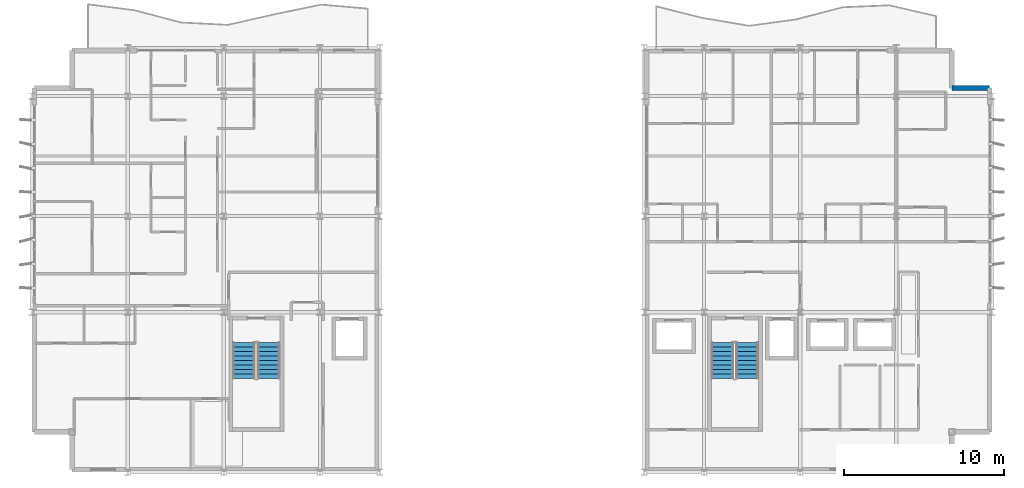
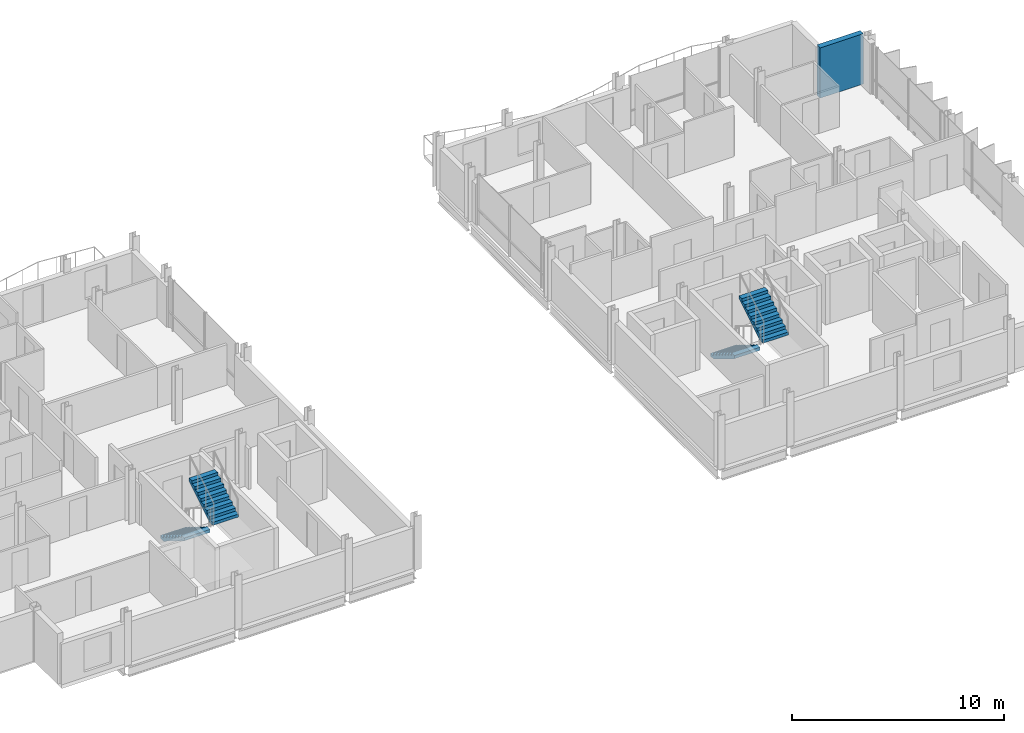
# One storey, part 26 of 30: 4 stair flights, 1 wall, 2 elements without a shape of their own.
"""IFC4 building model written with IfcOpenShell, lengths in metres."""

from ifc_helpers import new_model, si_unit, direction, frame, frame_2d, origin, place, context, subcontext, project, spatial, polyline, rectangle, outline, extrude, material, layer, layer_set, type_object, element, aggregate, save


model = new_model("IFC4")

# Units and contexts
model_context = context("Model", 3, precision=1e-05, world=origin(), true_north=direction((0.0, 1.0)))
body_context = subcontext(model_context, "Body", "Model", "MODEL_VIEW")
ifc_project = project(units=[si_unit("LENGTHUNIT", "METRE"), si_unit("AREAUNIT", "SQUARE_METRE"), si_unit("VOLUMEUNIT", "CUBIC_METRE"), si_unit("PLANEANGLEUNIT", "RADIAN"), si_unit("MASSUNIT", "GRAM", prefix="KILO")], contexts=[model_context])

# Site, building, storey
site_placement = place(None, origin())
site = spatial("IfcSite", under=ifc_project, at=site_placement, CompositionType="ELEMENT")
building_placement = place(site_placement, origin())
building = spatial("IfcBuilding", under=site, at=building_placement, Name="Brevholm Reach", CompositionType="ELEMENT")
storey_placement = place(building_placement, frame((0.0, 0.0, 204.89990234375)))
storey = spatial("IfcBuildingStorey", under=building, at=storey_placement, Name="L62", CompositionType="ELEMENT", Elevation=204.89990234375)

# Wall
ifc_material_1 = material(Name="Concrete C40/50", Category="concrete")
ifc_layer_1 = layer(ifc_material_1, 0.300048828125)
ifc_layer_set_1 = layer_set([ifc_layer_1], Name="Concrete C40/50")
wall_type = type_object("IfcWallType", Name="WAL-EXT-300", PredefinedType="STANDARD", material=ifc_layer_set_1)
wall_placement = place(storey_placement, frame((59.85009765625, 24.0, 0.0), z_axis=(0.0, 0.0, 1.0), x_axis=(-1.0, 0.0, 0.0)))
element("IfcWall", 1, at=wall_placement, inside=storey, type_object=wall_type, Name="L62 Facade Wall WAL-L62-EW-CNE1", PredefinedType="STANDARD", context=body_context, shape_type="SweptSolid", body=[
    extrude(rectangle(XDim=2.35009765625, YDim=0.300048828125, at=frame_2d((1.175048828125, 0.0))), origin(), (0.0, 0.0, 1.0), 2.89013671875),
])

# Stair, stair flights
ifc_material_2 = material(Name="Precast Concrete C40/50", Category="concrete")
stair_type = type_object("IfcStairType", Name="STR-ESC-1400", PredefinedType="DOUBLE_RETURN_STAIR", material=ifc_material_2)
stair_1_placement = place(storey_placement, origin())
stair_1 = element("IfcStair", 2, at=stair_1_placement, inside=storey, type_object=stair_type, Name="L62 ST-1", PredefinedType="DOUBLE_RETURN_STAIR")
ifc_material_3 = material(Name="Precast Concrete C40/50", Category="concrete")
ifc_layer_2 = layer(ifc_material_3, 0.18505859375)
ifc_layer_set_2 = layer_set([ifc_layer_2], Name="Precast Concrete C40/50")
stair_flight_type = type_object("IfcStairFlightType", Name="STF-PRC-185", PredefinedType="STRAIGHT", material=ifc_layer_set_2)
stair_flight_1_placement = place(storey_placement, frame((13.25, 8.10009765625, 0.0), z_axis=(0.0, 0.0, 1.0), x_axis=(0.0, -1.0, 0.0)))
stair_flight_1 = element("IfcStairFlight", 3, at=stair_flight_1_placement, type_object=stair_flight_type, Name="ST-1 flight 1", NumberOfRisers=9, NumberOfTreads=8, PredefinedType="STRAIGHT", RiserHeight=0.172222222, TreadLength=0.28, context=body_context, shape_type="SweptSolid", body=[
    extrude(outline(polyline([(0.0, 0.0), (0.0, 0.172119140625), (0.280029296875, 0.172119140625), (0.280029296875, 0.344482421875), (0.56005859375, 0.344482421875), (0.56005859375, 0.5166015625), (0.840087890625, 0.5166015625), (0.840087890625, 0.68896484375), (1.1201171875, 0.68896484375), (1.1201171875, 0.861083984375), (1.39990234375, 0.861083984375), (1.39990234375, 1.033447265625), (1.679931640625, 1.033447265625), (1.679931640625, 1.20556640625), (1.9599609375, 1.20556640625), (1.9599609375, 1.377685546875), (2.239990234375, 1.377685546875), (2.239990234375, 1.550048828125), (2.239990234375, 1.201904296875), (0.2861328125, 0.0), (0.0, 0.0)])), frame((0.0, 0.699951171875, 0.0), z_axis=(0.0, -1.0, 0.0), x_axis=(1.0, 0.0, 0.0)), (0.0, 0.0, 1.0), 1.39990234375),
])
stair_flight_2_placement = place(storey_placement, frame((14.800048828125, 5.860107421875, 1.550048828125), z_axis=(0.0, 0.0, 1.0), x_axis=(0.0, 1.0, 0.0)))
stair_flight_2 = element("IfcStairFlight", 4, at=stair_flight_2_placement, type_object=stair_flight_type, Name="ST-1 flight 2", NumberOfRisers=9, NumberOfTreads=8, PredefinedType="STRAIGHT", RiserHeight=0.172222222, TreadLength=0.28, context=body_context, shape_type="SweptSolid", body=[
    extrude(outline(polyline([(0.0, 0.0), (0.0, 0.172119140625), (0.280029296875, 0.172119140625), (0.280029296875, 0.344482421875), (0.56005859375, 0.344482421875), (0.56005859375, 0.5166015625), (0.840087890625, 0.5166015625), (0.840087890625, 0.68896484375), (1.1201171875, 0.68896484375), (1.1201171875, 0.861083984375), (1.39990234375, 0.861083984375), (1.39990234375, 1.033447265625), (1.679931640625, 1.033447265625), (1.679931640625, 1.20556640625), (1.9599609375, 1.20556640625), (1.9599609375, 1.377685546875), (2.239990234375, 1.377685546875), (2.239990234375, 1.550048828125), (2.239990234375, 1.201904296875), (0.2861328125, 0.0), (0.0, 0.0)])), frame((0.0, 0.699951171875, 0.0), z_axis=(0.0, -1.0, 0.0), x_axis=(1.0, 0.0, 0.0)), (0.0, 0.0, 1.0), 1.39990234375),
])
aggregate(stair_1, [stair_flight_1, stair_flight_2])

stair_2_placement = place(storey_placement, origin())
stair_2 = element("IfcStair", 5, at=stair_2_placement, inside=storey, type_object=stair_type, Name="L62 ST-2", PredefinedType="DOUBLE_RETURN_STAIR")
stair_flight_3_placement = place(storey_placement, frame((43.14990234375, 8.10009765625, 0.0), z_axis=(0.0, 0.0, 1.0), x_axis=(0.0, -1.0, 0.0)))
stair_flight_3 = element("IfcStairFlight", 6, at=stair_flight_3_placement, type_object=stair_flight_type, Name="ST-2 flight 1", NumberOfRisers=9, NumberOfTreads=8, PredefinedType="STRAIGHT", RiserHeight=0.172222222, TreadLength=0.28, context=body_context, shape_type="SweptSolid", body=[
    extrude(outline(polyline([(0.0, 0.0), (0.0, 0.172119140625), (0.280029296875, 0.172119140625), (0.280029296875, 0.344482421875), (0.56005859375, 0.344482421875), (0.56005859375, 0.5166015625), (0.840087890625, 0.5166015625), (0.840087890625, 0.68896484375), (1.1201171875, 0.68896484375), (1.1201171875, 0.861083984375), (1.39990234375, 0.861083984375), (1.39990234375, 1.033447265625), (1.679931640625, 1.033447265625), (1.679931640625, 1.20556640625), (1.9599609375, 1.20556640625), (1.9599609375, 1.377685546875), (2.239990234375, 1.377685546875), (2.239990234375, 1.550048828125), (2.239990234375, 1.201904296875), (0.2861328125, 0.0), (0.0, 0.0)])), frame((0.0, 0.699951171875, 0.0), z_axis=(0.0, -1.0, 0.0), x_axis=(1.0, 0.0, 0.0)), (0.0, 0.0, 1.0), 1.39990234375),
])
stair_flight_4_placement = place(storey_placement, frame((44.699951171875, 5.860107421875, 1.550048828125), z_axis=(0.0, 0.0, 1.0), x_axis=(0.0, 1.0, 0.0)))
stair_flight_4 = element("IfcStairFlight", 7, at=stair_flight_4_placement, type_object=stair_flight_type, Name="ST-2 flight 2", NumberOfRisers=9, NumberOfTreads=8, PredefinedType="STRAIGHT", RiserHeight=0.172222222, TreadLength=0.28, context=body_context, shape_type="SweptSolid", body=[
    extrude(outline(polyline([(0.0, 0.0), (0.0, 0.172119140625), (0.280029296875, 0.172119140625), (0.280029296875, 0.344482421875), (0.56005859375, 0.344482421875), (0.56005859375, 0.5166015625), (0.840087890625, 0.5166015625), (0.840087890625, 0.68896484375), (1.1201171875, 0.68896484375), (1.1201171875, 0.861083984375), (1.39990234375, 0.861083984375), (1.39990234375, 1.033447265625), (1.679931640625, 1.033447265625), (1.679931640625, 1.20556640625), (1.9599609375, 1.20556640625), (1.9599609375, 1.377685546875), (2.239990234375, 1.377685546875), (2.239990234375, 1.550048828125), (2.239990234375, 1.201904296875), (0.2861328125, 0.0), (0.0, 0.0)])), frame((0.0, 0.699951171875, 0.0), z_axis=(0.0, -1.0, 0.0), x_axis=(1.0, 0.0, 0.0)), (0.0, 0.0, 1.0), 1.39990234375),
])
aggregate(stair_2, [stair_flight_3, stair_flight_4])

save(model, "model.ifc")
